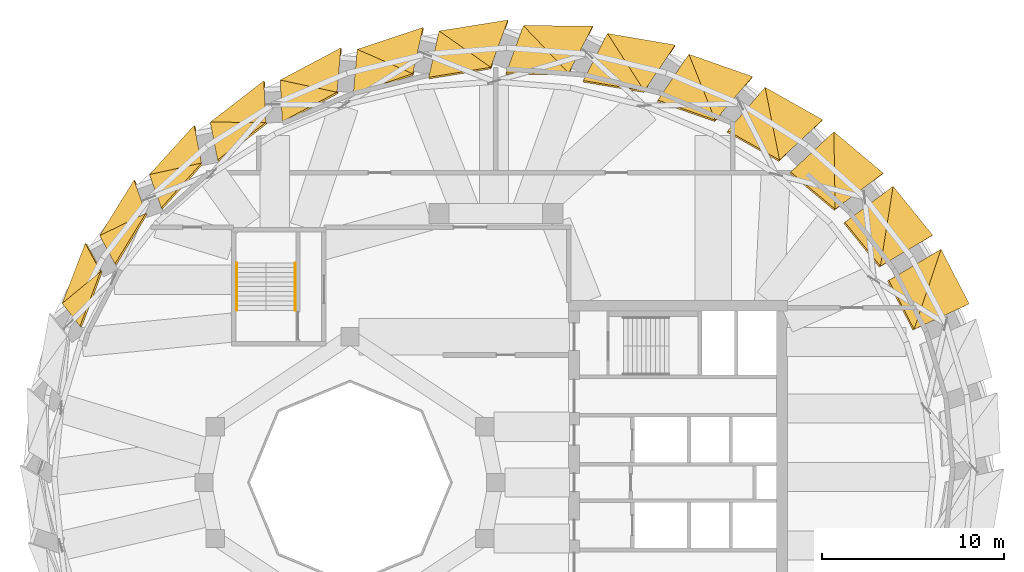
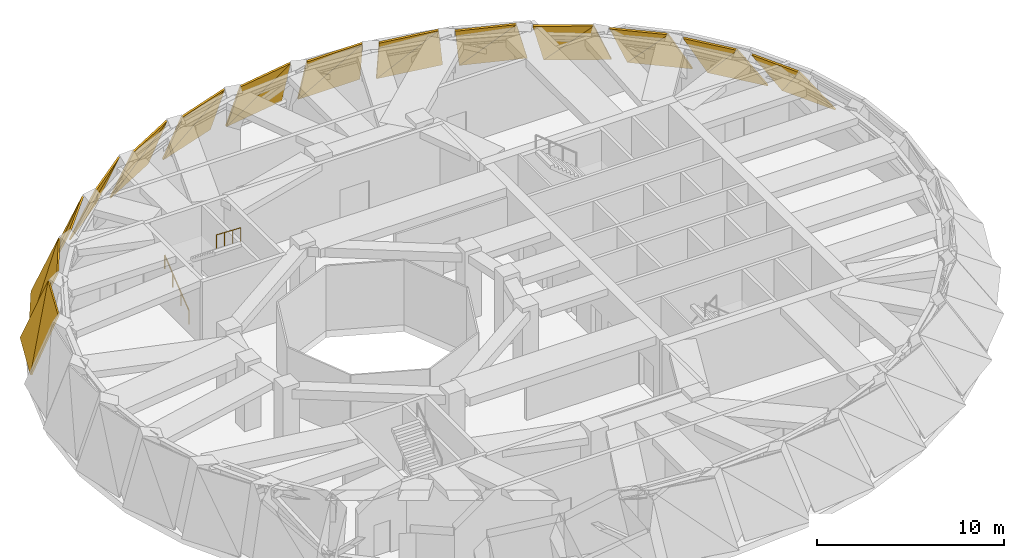
# One storey, part 14 of 14: 28 shading devices, 2 railings.
"""IFC4 building model written with IfcOpenShell, lengths in metres."""

from ifc_helpers import new_model, si_unit, direction, frame, origin, origin_2d, place, context, subcontext, project, spatial, polyline, circle, outline, extrude, material, layer, layer_set, type_object, element, save


model = new_model("IFC4")

# Units and contexts
model_context = context("Model", 3, precision=1e-05, world=origin(), true_north=direction((0.0, 1.0)))
body_context = subcontext(model_context, "Body", "Model", "MODEL_VIEW")
ifc_project = project(units=[si_unit("LENGTHUNIT", "METRE"), si_unit("AREAUNIT", "SQUARE_METRE"), si_unit("VOLUMEUNIT", "CUBIC_METRE"), si_unit("PLANEANGLEUNIT", "RADIAN"), si_unit("MASSUNIT", "GRAM", prefix="KILO")], contexts=[model_context])

# Site, building, storey
site_placement = place(None, origin())
site = spatial("IfcSite", under=ifc_project, at=site_placement, CompositionType="ELEMENT")
building_placement = place(site_placement, origin())
building = spatial("IfcBuilding", under=site, at=building_placement, Name="Taillehof Tower", CompositionType="ELEMENT")
storey_placement = place(building_placement, frame((0.0, 0.0, 228.800048828125)))
storey = spatial("IfcBuildingStorey", under=building, at=storey_placement, Name="L65", CompositionType="ELEMENT", Elevation=228.800048828125)

# Shading devices
ifc_material_1 = material(Name="Aluminium louvre blades", Category="aluminium")
ifc_layer = layer(ifc_material_1, 0.10009765625)
ifc_layer_set = layer_set([ifc_layer], Name="Louvre panel 100")
shading_device_type = type_object("IfcShadingDeviceType", Name="Louvre panel 100", PredefinedType="USERDEFINED", material=ifc_layer_set)
shading_device_1_placement = place(storey_placement, frame((25.976318359375, 9.801025390625, 0.0), z_axis=(0.70610170227, 0.364988934995, 0.606797712078), x_axis=(-0.459188579487, 0.888338814005, 0.0)))
element("IfcShadingDevice", 1, at=shading_device_1_placement, inside=storey, type_object=shading_device_type, Name="Louvre panel L65 bay 3a", ObjectType="LOUVER", PredefinedType="USERDEFINED", context=body_context, shape_type="SweptSolid", body=[
    extrude(outline(polyline([(0.0, 0.0), (3.3729674347058394, 0.0), (0.1517245314903104, 5.485096217785606), (0.0, 0.0)])), origin(), (0.0, 0.0, -1.0), 0.10009765625),
])
shading_device_2_placement = place(storey_placement, frame((24.427490234375, 12.79736328125, 0.0), z_axis=(0.70648749266, 0.364628360942, 0.606565397226), x_axis=(-0.522191167474, -0.309924484334, 0.794520735175)))
element("IfcShadingDevice", 2, at=shading_device_2_placement, inside=storey, type_object=shading_device_type, Name="Louvre panel L65 bay 3b", ObjectType="LOUVER", PredefinedType="USERDEFINED", context=body_context, shape_type="SweptSolid", body=[
    extrude(outline(polyline([(0.0, 0.0), (5.4874128367337995, -1.8041124150158794e-16), (5.596094821071002, 3.024303078969546), (0.0, 0.0)])), origin(), (0.0, 0.0, -1.0), 0.10009765625),
])
shading_device_3_placement = place(storey_placement, frame((23.96826171875, 13.5712890625, 0.0), z_axis=(0.620084092325, 0.501623299601, 0.603216199834), x_axis=(-0.628933442193, 0.777459147024, 0.0)))
element("IfcShadingDevice", 3, at=shading_device_3_placement, inside=storey, type_object=shading_device_type, Name="Louvre panel L65 bay 4a", ObjectType="LOUVER", PredefinedType="USERDEFINED", context=body_context, shape_type="SweptSolid", body=[
    extrude(outline(polyline([(0.0, 0.0), (3.448608655532234, 0.0), (0.479983250206989, 5.466380495380067), (0.0, 0.0)])), origin(), (0.0, 0.0, -1.0), 0.10009765625),
])
shading_device_4_placement = place(storey_placement, frame((21.79931640625, 16.25244140625, 0.0), z_axis=(0.620245251208, 0.501519060396, 0.603137182085), x_axis=(-0.483332185523, -0.361248834154, 0.797426660114)))
element("IfcShadingDevice", 4, at=shading_device_4_placement, inside=storey, type_object=shading_device_type, Name="Louvre panel L65 bay 4b", ObjectType="LOUVER", PredefinedType="USERDEFINED", context=body_context, shape_type="SweptSolid", body=[
    extrude(outline(polyline([(0.0, 0.0), (5.467416001151255, -2.3592239273284576e-16), (5.39626125415043, 3.0942554830474043), (0.0, 0.0)])), origin(), (0.0, 0.0, -1.0), 0.10009765625),
])
shading_device_5_placement = place(storey_placement, frame((21.260498046875, 16.973388671875, 0.0), z_axis=(0.517023522432, 0.617271849438, 0.593011080119), x_axis=(-0.76661229512, 0.642110262315, 0.0)))
element("IfcShadingDevice", 5, at=shading_device_5_placement, inside=storey, type_object=shading_device_type, Name="Louvre panel L65 bay 5a", ObjectType="LOUVER", PredefinedType="USERDEFINED", context=body_context, shape_type="SweptSolid", body=[
    extrude(outline(polyline([(0.0, 0.0), (3.5375300914980774, 0.0), (0.757602407287634, 5.4146723189974075), (0.0, 0.0)])), origin(), (0.0, 0.0, -1.0), 0.10009765625),
])
shading_device_6_placement = place(storey_placement, frame((18.548583984375, 19.244873046875, 0.0), z_axis=(0.516893758545, 0.617326964593, 0.593066826896), x_axis=(-0.435806738378, -0.406534123161, 0.802995948613)))
element("IfcShadingDevice", 6, at=shading_device_6_placement, inside=storey, type_object=shading_device_type, Name="Louvre panel L65 bay 5b", ObjectType="LOUVER", PredefinedType="USERDEFINED", context=body_context, shape_type="SweptSolid", body=[
    extrude(outline(polyline([(0.0, 0.0), (5.429495987842278, 1.6653345369377348e-16), (5.197115985084296, 3.1680687633221742), (0.0, 0.0)])), origin(), (0.0, 0.0, -1.0), 0.10009765625),
])
shading_device_7_placement = place(storey_placement, frame((17.9345703125, 19.903076171875, 0.0), z_axis=(0.401029582306, 0.710988482861, 0.577642321298), x_axis=(-0.87099987885, 0.491283228946, 0.0)))
element("IfcShadingDevice", 7, at=shading_device_7_placement, inside=storey, type_object=shading_device_type, Name="Louvre panel L65 bay 6a", ObjectType="LOUVER", PredefinedType="USERDEFINED", context=body_context, shape_type="SweptSolid", body=[
    extrude(outline(polyline([(0.0, 0.0), (3.628193673429382, 0.0), (0.9764521166206099, 5.341071594421292), (0.0, 0.0)])), origin(), (0.0, 0.0, -1.0), 0.10009765625),
])
shading_device_8_placement = place(storey_placement, frame((14.7744140625, 21.685546875, 0.0), z_axis=(0.400539245747, 0.71110538456, 0.577838597418), x_axis=(-0.380603016332, -0.444536331412, 0.810881491966)))
element("IfcShadingDevice", 8, at=shading_device_8_placement, inside=storey, type_object=shading_device_type, Name="Louvre panel L65 bay 6b", ObjectType="LOUVER", PredefinedType="USERDEFINED", context=body_context, shape_type="SweptSolid", body=[
    extrude(outline(polyline([(0.0, 0.0), (5.376696008533997, 0.0), (5.006850082687092, 3.238862656911662), (0.0, 0.0)])), origin(), (0.0, 0.0, -1.0), 0.10009765625),
])
shading_device_9_placement = place(storey_placement, frame((14.090576171875, 22.27099609375, 0.0), z_axis=(0.275316444706, 0.782647878216, 0.558267994782), x_axis=(-0.943334902943, 0.331842222887, 0.0)))
element("IfcShadingDevice", 9, at=shading_device_9_placement, inside=storey, type_object=shading_device_type, Name="Louvre panel L65 bay 7a", ObjectType="LOUVER", PredefinedType="USERDEFINED", context=body_context, shape_type="SweptSolid", body=[
    extrude(outline(polyline([(0.0, 0.0), (3.7094647587085414, 0.0), (1.1370494285887887, 5.254995662459766), (0.0, 0.0)])), origin(), (0.0, 0.0, -1.0), 0.10009765625),
])
shading_device_10_placement = place(storey_placement, frame((10.59130859375, 23.501953125, 0.0), z_axis=(0.274481833283, 0.782707320215, 0.558595537111), x_axis=(-0.318970578182, -0.473905710611, 0.82077472409)))
element("IfcShadingDevice", 10, at=shading_device_10_placement, inside=storey, type_object=shading_device_type, Name="Louvre panel L65 bay 7b", ObjectType="LOUVER", PredefinedType="USERDEFINED", context=body_context, shape_type="SweptSolid", body=[
    extrude(outline(polyline([(0.0, 0.0), (5.3118878460661545, -1.1102230246251565e-16), (4.83101846709729, 3.3005394428291615), (0.0, 0.0)])), origin(), (0.0, 0.0, -1.0), 0.10009765625),
])
shading_device_11_placement = place(storey_placement, frame((9.844482421875, 24.004638671875, 0.0), z_axis=(0.142388492659, 0.832202276167, 0.535877680726), x_axis=(-0.985676398559, 0.168647672158, 0.0)))
element("IfcShadingDevice", 11, at=shading_device_11_placement, inside=storey, type_object=shading_device_type, Name="Louvre panel L65 bay 8a", ObjectType="LOUVER", PredefinedType="USERDEFINED", context=body_context, shape_type="SweptSolid", body=[
    extrude(outline(polyline([(0.0, 0.0), (3.7725422509989275, 0.0), (1.2452426109134782, 5.163906012203851), (0.0, 0.0)])), origin(), (0.0, 0.0, -1.0), 0.10009765625),
])
shading_device_12_placement = place(storey_placement, frame((6.1259765625, 24.640869140625, 0.0), z_axis=(0.141181405729, 0.832096255866, 0.5363614748), x_axis=(-0.252447530062, -0.493617175266, 0.832233337982)))
element("IfcShadingDevice", 12, at=shading_device_12_placement, inside=storey, type_object=shading_device_type, Name="Louvre panel L65 bay 8b", ObjectType="LOUVER", PredefinedType="USERDEFINED", context=body_context, shape_type="SweptSolid", body=[
    extrude(outline(polyline([(0.0, 0.0), (5.238751059677465, -2.220446049250313e-16), (4.674139331173937, 3.347475210725837), (0.0, 0.0)])), origin(), (0.0, 0.0, -1.0), 0.10009765625),
])
shading_device_13_placement = place(storey_placement, frame((5.324462890625, 25.050537109375, 0.0), z_axis=(0.004184320376, 0.859547496152, 0.511038739551), x_axis=(-0.999988151254, 0.004867992537, 0.0)))
element("IfcShadingDevice", 13, at=shading_device_13_placement, inside=storey, type_object=shading_device_type, Name="Louvre panel L65 bay 9a", ObjectType="LOUVER", PredefinedType="USERDEFINED", context=body_context, shape_type="SweptSolid", body=[
    extrude(outline(polyline([(0.0, 0.0), (3.811568599807701, 0.0), (1.3096628218329598, 5.072217232736898), (0.0, 0.0)])), origin(), (0.0, 0.0, -1.0), 0.10009765625),
])
shading_device_14_placement = place(storey_placement, frame((1.512939453125, 25.069091796875, 0.0), z_axis=(0.002566623584, 0.859146689804, 0.511722950279), x_axis=(-0.182770564214, -0.502701849542, 0.844917612152)))
element("IfcShadingDevice", 14, at=shading_device_14_placement, inside=storey, type_object=shading_device_type, Name="Louvre panel L65 bay 9b", ObjectType="LOUVER", PredefinedType="USERDEFINED", context=body_context, shape_type="SweptSolid", body=[
    extrude(outline(polyline([(0.0, 0.0), (5.160104628599992, 0.0), (4.537922527864955, 3.3755265232304565), (0.0, 0.0)])), origin(), (0.0, 0.0, -1.0), 0.10009765625),
])
shading_device_15_placement = place(storey_placement, frame((0.667236328125, 25.376708984375, 0.0), z_axis=(-0.137605902348, 0.864017571988, 0.484291493767), x_axis=(-0.98755394526, -0.157280657431, 0.0)))
element("IfcShadingDevice", 15, at=shading_device_15_placement, inside=storey, type_object=shading_device_type, Name="Louvre panel L65 bay 10a", ObjectType="LOUVER", PredefinedType="USERDEFINED", context=body_context, shape_type="SweptSolid", body=[
    extrude(outline(polyline([(0.0, 0.0), (3.823218755540623, -5.551115123125783e-17), (1.3396033763893376, 4.98323219779648), (0.0, 0.0)])), origin(), (0.0, 0.0, -1.0), 0.10009765625),
])
shading_device_16_placement = place(storey_placement, frame((-3.1083984375, 24.775390625, 0.0), z_axis=(-0.139570937806, 0.863196381443, 0.48519270438), x_axis=(-0.112139711347, -0.500615128023, 0.858375895942)))
element("IfcShadingDevice", 16, at=shading_device_16_placement, inside=storey, type_object=shading_device_type, Name="Louvre panel L65 bay 10b", ObjectType="LOUVER", PredefinedType="USERDEFINED", context=body_context, shape_type="SweptSolid", body=[
    extrude(outline(polyline([(0.0, 0.0), (5.0792005016252455, 0.0), (4.422354646805306, 3.382857943602101), (0.0, 0.0)])), origin(), (0.0, 0.0, -1.0), 0.10009765625),
])
shading_device_17_placement = place(storey_placement, frame((-3.986572265625, 24.97216796875, 0.0), z_axis=(-0.280984677349, 0.844551832812, 0.455828709923), x_axis=(-0.948862659749, -0.315689171392, 0.0)))
element("IfcShadingDevice", 17, at=shading_device_17_placement, inside=storey, type_object=shading_device_type, Name="Louvre panel L65 bay 11a", ObjectType="LOUVER", PredefinedType="USERDEFINED", context=body_context, shape_type="SweptSolid", body=[
    extrude(outline(polyline([(0.0, 0.0), (3.808012901420537, 0.0), (1.3433955488044396, 4.89835118280016), (0.0, 0.0)])), origin(), (0.0, 0.0, -1.0), 0.10009765625),
])
shading_device_18_placement = place(storey_placement, frame((-7.599853515625, 23.77001953125, 0.0), z_axis=(-0.283335319025, 0.843116920766, 0.457028396175), x_axis=(-0.042689915024, -0.487173011957, 0.872261444508)))
element("IfcShadingDevice", 18, at=shading_device_18_placement, inside=storey, type_object=shading_device_type, Name="Louvre panel L65 bay 11b", ObjectType="LOUVER", PredefinedType="USERDEFINED", context=body_context, shape_type="SweptSolid", body=[
    extrude(outline(polyline([(0.0, 0.0), (4.9983446003472185, 0.0), (4.326108252929103, 3.3694169211890093), (0.0, 0.0)])), origin(), (0.0, 0.0, -1.0), 0.10009765625),
])
shading_device_19_placement = place(storey_placement, frame((-8.49658203125, 23.848388671875, 0.0), z_axis=(-0.423573179247, 0.799555183518, 0.425790171719), x_axis=(-0.883660259255, -0.468128770974, 0.0)))
element("IfcShadingDevice", 19, at=shading_device_19_placement, inside=storey, type_object=shading_device_type, Name="Louvre panel L65 bay 12a", ObjectType="LOUVER", PredefinedType="USERDEFINED", context=body_context, shape_type="SweptSolid", body=[
    extrude(outline(polyline([(0.0, 0.0), (3.7690575890097517, 0.0), (1.328361157108541, 4.818476569026368), (0.0, 0.0)])), origin(), (0.0, 0.0, -1.0), 0.10009765625),
])
shading_device_20_placement = place(storey_placement, frame((-11.8271484375, 22.083984375, 0.0), z_axis=(-0.426102640662, 0.797418803636, 0.427270161874), x_axis=(0.02327741942, -0.4624712029, 0.886328690855)))
element("IfcShadingDevice", 20, at=shading_device_20_placement, inside=storey, type_object=shading_device_type, Name="Louvre panel L65 bay 12b", ObjectType="LOUVER", PredefinedType="USERDEFINED", context=body_context, shape_type="SweptSolid", body=[
    extrude(outline(polyline([(0.0, 0.0), (4.919014047760049, 0.0), (4.246877386625594, 3.3374762893419305), (0.0, 0.0)])), origin(), (0.0, 0.0, -1.0), 0.10009765625),
])
shading_device_21_placement = place(storey_placement, frame((-12.72607421875, 22.038818359375, 0.0), z_axis=(-0.561698072891, 0.727337063508, 0.394304540879), x_axis=(-0.791461400232, -0.61121915214, 0.0)))
element("IfcShadingDevice", 21, at=shading_device_21_placement, inside=storey, type_object=shading_device_type, Name="Louvre panel L65 bay 13a", ObjectType="LOUVER", PredefinedType="USERDEFINED", context=body_context, shape_type="SweptSolid", body=[
    extrude(outline(polyline([(0.0, 0.0), (3.7127225176596976, -2.220446049250313e-16), (1.2999892290243442, 4.74424262219441), (0.0, 0.0)])), origin(), (0.0, 0.0, -1.0), 0.10009765625),
])
shading_device_22_placement = place(storey_placement, frame((-15.66455078125, 19.76953125, 0.0), z_axis=(-0.564324305543, 0.724300765089, 0.396139470219), x_axis=(0.083531856313, -0.427287878158, 0.900248575761)))
element("IfcShadingDevice", 22, at=shading_device_22_placement, inside=storey, type_object=shading_device_type, Name="Louvre panel L65 bay 13b", ObjectType="LOUVER", PredefinedType="USERDEFINED", context=body_context, shape_type="SweptSolid", body=[
    extrude(outline(polyline([(0.0, 0.0), (4.842954933379406, 1.1102230246251565e-16), (4.1824853120631325, 3.291798383059237), (0.0, 0.0)])), origin(), (0.0, 0.0, -1.0), 0.10009765625),
])
shading_device_23_placement = place(storey_placement, frame((-16.5478515625, 19.5966796875, 0.0), z_axis=(-0.690494114947, 0.62656987901, 0.36142504609), x_axis=(-0.671996026222, -0.740554752022, 0.0)))
element("IfcShadingDevice", 23, at=shading_device_23_placement, inside=storey, type_object=shading_device_type, Name="Louvre panel L65 bay 14a", ObjectType="LOUVER", PredefinedType="USERDEFINED", context=body_context, shape_type="SweptSolid", body=[
    extrude(outline(polyline([(0.0, 0.0), (3.646508844556063, 1.1102230246251565e-16), (1.260425807601007, 4.675952193077222), (0.0, 0.0)])), origin(), (0.0, 0.0, -1.0), 0.10009765625),
])
shading_device_24_placement = place(storey_placement, frame((-18.998291015625, 16.896240234375, 0.0), z_axis=(-0.692961216355, 0.622562969524, 0.363620821193), x_axis=(0.135924244513, -0.382491642881, 0.913906309684)))
element("IfcShadingDevice", 24, at=shading_device_24_placement, inside=storey, type_object=shading_device_type, Name="Louvre panel L65 bay 14b", ObjectType="LOUVER", PredefinedType="USERDEFINED", context=body_context, shape_type="SweptSolid", body=[
    extrude(outline(polyline([(0.0, 0.0), (4.77058012955358, -2.220446049250313e-16), (4.1310824231389045, 3.2391479102413885), (0.0, 0.0)])), origin(), (0.0, 0.0, -1.0), 0.10009765625),
])
shading_device_25_placement = place(storey_placement, frame((-19.846435546875, 16.5947265625, 0.0), z_axis=(-0.803305035087, 0.497330090298, 0.327664160214), x_axis=(-0.526389829122, -0.850243346223, 0.0)))
element("IfcShadingDevice", 25, at=shading_device_25_placement, inside=storey, type_object=shading_device_type, Name="Louvre panel L65 bay 15a", ObjectType="LOUVER", PredefinedType="USERDEFINED", context=body_context, shape_type="SweptSolid", body=[
    extrude(outline(polyline([(0.0, 0.0), (3.580087190357475, -1.1102230246251565e-16), (1.2099855941634914, 4.6146165944622055), (0.0, 0.0)])), origin(), (0.0, 0.0, -1.0), 0.10009765625),
])
shading_device_26_placement = place(storey_placement, frame((-21.73095703125, 13.55078125, 0.0), z_axis=(-0.805352438253, 0.492270258008, 0.330268744026), x_axis=(0.178680947187, -0.329640910703, 0.927043682414)))
element("IfcShadingDevice", 26, at=shading_device_26_placement, inside=storey, type_object=shading_device_type, Name="Louvre panel L65 bay 15b", ObjectType="LOUVER", PredefinedType="USERDEFINED", context=body_context, shape_type="SweptSolid", body=[
    extrude(outline(polyline([(0.0, 0.0), (4.7029750204410465, 2.220446049250313e-16), (4.092508027468626, 3.188015987298699), (0.0, 0.0)])), origin(), (0.0, 0.0, -1.0), 0.10009765625),
])
shading_device_27_placement = place(storey_placement, frame((-22.52197265625, 13.121826171875, 0.0), z_axis=(-0.892580133273, 0.3421535096, 0.293652314064), x_axis=(-0.357933997587, -0.93374688935, 0.0)))
element("IfcShadingDevice", 27, at=shading_device_27_placement, inside=storey, type_object=shading_device_type, Name="Louvre panel L65 bay 16a", ObjectType="LOUVER", PredefinedType="USERDEFINED", context=body_context, shape_type="SweptSolid", body=[
    extrude(outline(polyline([(0.0, 0.0), (3.52295768668042, -5.551115123125783e-17), (1.1468852201354784, 4.560944866577238), (0.0, 0.0)])), origin(), (0.0, 0.0, -1.0), 0.10009765625),
])
shading_device_28_placement = place(storey_placement, frame((-23.782958984375, 9.832275390625, 0.0), z_axis=(-0.893859175999, 0.336172104681, 0.296654832282), x_axis=(0.210132099104, -0.270372773485, 0.939544072561)))
element("IfcShadingDevice", 28, at=shading_device_28_placement, inside=storey, type_object=shading_device_type, Name="Louvre panel L65 bay 16b", ObjectType="LOUVER", PredefinedType="USERDEFINED", context=body_context, shape_type="SweptSolid", body=[
    extrude(outline(polyline([(0.0, 0.0), (4.640403157849598, -2.220446049250313e-16), (4.067538880463582, 3.1469137099938562), (0.0, 0.0)])), origin(), (0.0, 0.0, -1.0), 0.10009765625),
])

# Railings
ifc_material_2 = material(Name="Stainless steel", Category="steel")
railing_type = type_object("IfcRailingType", Name="Stair handrail 900", PredefinedType="HANDRAIL", material=ifc_material_2)
railing_1_placement = place(storey_placement, frame((-14.199951171875, 9.449951171875, 0.20458984375)))
element("IfcRailing", 29, at=railing_1_placement, inside=storey, type_object=railing_type, Name="Stair S3 handrail", PredefinedType="HANDRAIL", context=body_context, shape_type="SweptSolid", body=[
    extrude(circle(Radius=0.02392578125, at=origin_2d()), frame((0.0, 0.0, 0.8759765625), z_axis=(0.0, 0.785954564337, 0.618284257278), x_axis=(-1.0, 0.0, 0.0)), (0.0, 0.0, 1.0), 3.30810546875),
    extrude(circle(Radius=0.02099609375, at=origin_2d()), origin(), (0.0, 0.0, 1.0), 0.851806640625),
    extrude(circle(Radius=0.02099609375, at=origin_2d()), frame((0.0, 0.86669921875, 0.681884765625)), (0.0, 0.0, 1.0), 0.851806640625),
    extrude(circle(Radius=0.02099609375, at=origin_2d()), frame((0.0, 1.7333984375, 1.363525390625)), (0.0, 0.0, 1.0), 0.851806640625),
    extrude(circle(Radius=0.02099609375, at=origin_2d()), frame((0.0, 2.60009765625, 2.04541015625)), (0.0, 0.0, 1.0), 0.851806640625),
])
railing_2_placement = place(storey_placement, frame((-11.0, 12.050048828125, 2.45458984375)))
element("IfcRailing", 30, at=railing_2_placement, inside=storey, type_object=railing_type, Name="Stair S3 handrail", PredefinedType="HANDRAIL", context=body_context, shape_type="SweptSolid", body=[
    extrude(circle(Radius=0.02392578125, at=origin_2d()), frame((0.0, 0.0, 0.8759765625), z_axis=(0.0, -0.785954564337, 0.618284257278), x_axis=(1.0, 0.0, 0.0)), (0.0, 0.0, 1.0), 3.30810546875),
    extrude(circle(Radius=0.02099609375, at=origin_2d()), origin(), (0.0, 0.0, 1.0), 0.851806640625),
    extrude(circle(Radius=0.02099609375, at=origin_2d()), frame((0.0, -0.86669921875, 0.681884765625)), (0.0, 0.0, 1.0), 0.851806640625),
    extrude(circle(Radius=0.02099609375, at=origin_2d()), frame((0.0, -1.7333984375, 1.363525390625)), (0.0, 0.0, 1.0), 0.851806640625),
    extrude(circle(Radius=0.02099609375, at=origin_2d()), frame((0.0, -2.60009765625, 2.04541015625)), (0.0, 0.0, 1.0), 0.851806640625),
])

save(model, "model.ifc")
